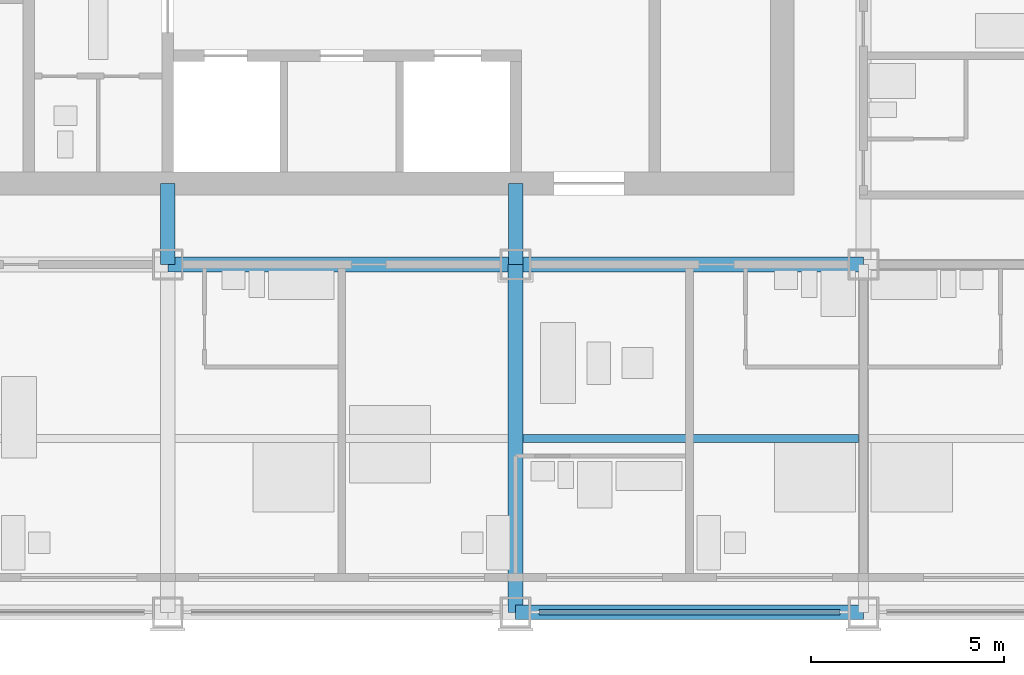
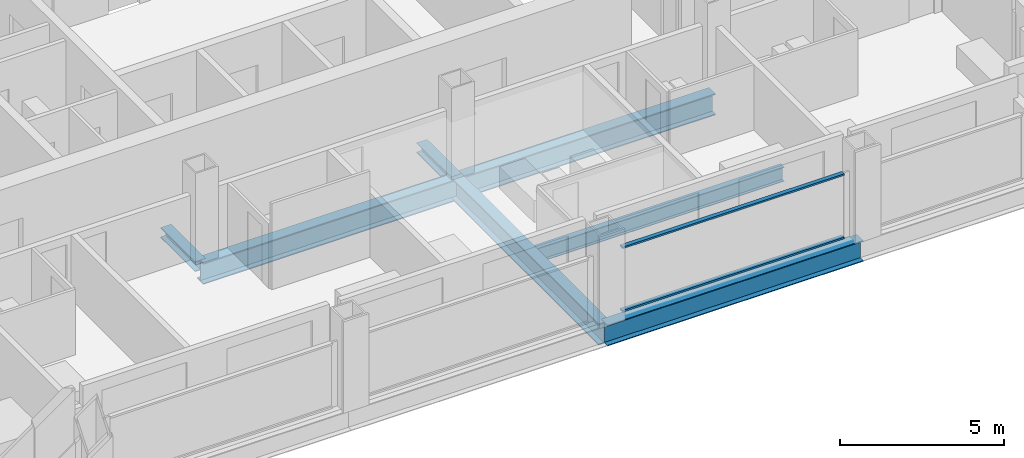
# One storey, part 3 of 13: 5 beams, 4 members, 1 element without a shape of its own.
"""IFC4 building model written with IfcOpenShell, lengths in metres."""

from ifc_helpers import new_model, si_unit, direction, frame, origin, origin_2d, place, context, subcontext, project, spatial, rectangle, i_section, extrude, material, material_profile, profile_set, type_object, element, aggregate, save


model = new_model("IFC4")

# Units and contexts
model_context = context("Model", 3, precision=1e-05, world=origin(), true_north=direction((0.0, 1.0)))
body_context = subcontext(model_context, "Body", "Model", "MODEL_VIEW")
ifc_project = project(units=[si_unit("LENGTHUNIT", "METRE"), si_unit("AREAUNIT", "SQUARE_METRE"), si_unit("VOLUMEUNIT", "CUBIC_METRE"), si_unit("PLANEANGLEUNIT", "RADIAN"), si_unit("MASSUNIT", "GRAM", prefix="KILO")], contexts=[model_context])

# Site, building, storey
site_placement = place(None, origin())
site = spatial("IfcSite", under=ifc_project, at=site_placement, CompositionType="ELEMENT")
building_placement = place(site_placement, origin())
building = spatial("IfcBuilding", under=site, at=building_placement, Name="Loomwork Tower", CompositionType="ELEMENT")
storey_placement = place(building_placement, frame((0.0, 0.0, 211.39990234375)))
storey = spatial("IfcBuildingStorey", under=building, at=storey_placement, Name="L58", CompositionType="ELEMENT", Elevation=211.39990234375)

# Beams
ifc_material_1 = material(Name="Steel ASTM A992", Category="steel")
ifc_material_profile_1 = material_profile(ifc_material_1, i_section(OverallWidth=0.383544921875, OverallDepth=0.794921875, WebThickness=0.02099609375, FlangeThickness=0.0380859375, at=origin_2d()), Name="W30x235")
ifc_profile_set_1 = profile_set([ifc_material_profile_1], Name="Steel ASTM A992")
beam_type_1 = type_object("IfcBeamType", Name="CORE FLANK GIRDER W30x235", PredefinedType="BEAM", material=ifc_profile_set_1)
for number, where, z_axis, x_axis, name in (
    (1, (18.0, 9.0, -0.597412109375), (1.0, 0.0, 0.0), (0.0, 1.0, 0.0), "Core Flank Girder E/4-E/5 L58"),
    (2, (27.0, 9.0, -0.597412109375), (1.0, 0.0, 0.0), (0.0, 1.0, 0.0), "Core Flank Girder E/5-E/6 L58"),
    (3, (27.0, 0.0, -0.597412109375), (0.0, 1.0, 0.0), (-1.0, 0.0, 0.0), "Core Flank Girder D/5-E/5 L58"),
):
    element("IfcBeam", number, at=place(storey_placement, frame(where, z_axis=z_axis, x_axis=x_axis)), inside=storey, type_object=beam_type_1, Name=name, PredefinedType="BEAM", context=body_context, shape_type="SweptSolid", body=[
        extrude(i_section(OverallWidth=0.383544921875, OverallDepth=0.794921875, WebThickness=0.02099609375, FlangeThickness=0.0380859375, at=origin_2d()), origin(), (0.0, 0.0, 1.0), 9.0),
    ])

# Members
ifc_material_2 = material(Name="Steel ASTM A992", Category="steel")
ifc_material_profile_2 = material_profile(ifc_material_2, i_section(OverallWidth=0.373291015625, OverallDepth=0.373291015625, WebThickness=0.016357421875, FlangeThickness=0.026123046875, at=origin_2d()), Name="W14x132")
ifc_profile_set_2 = profile_set([ifc_material_profile_2], Name="Steel ASTM A992")
member_type_1 = type_object("IfcMemberType", Name="CORE LINK STRUT W14x132", PredefinedType="STRUT", material=ifc_profile_set_2)
for number, where, z_axis, x_axis, name in (
    (4, (27.0, 9.0, -0.386474609375), (0.0, 1.0, 0.0), (-1.0, 0.0, 0.0), "Core link strut E/5-27.000,11.100 L58"),
    (5, (18.0, 9.0, -0.386474609375), (0.0, 1.0, 0.0), (-1.0, 0.0, 0.0), "Core link strut E/4-18.000,11.100 L58"),
):
    element("IfcMember", number, at=place(storey_placement, frame(where, z_axis=z_axis, x_axis=x_axis)), inside=storey, type_object=member_type_1, Name=name, PredefinedType="STRUT", context=body_context, shape_type="SweptSolid", body=[
        extrude(i_section(OverallWidth=0.373291015625, OverallDepth=0.373291015625, WebThickness=0.016357421875, FlangeThickness=0.026123046875, at=origin_2d()), origin(), (0.0, 0.0, 1.0), 2.10009765625),
    ])

# Beam
ifc_material_3 = material(Name="Steel ASTM A992", Category="steel")
ifc_material_profile_3 = material_profile(ifc_material_3, i_section(OverallWidth=0.2109375, OverallDepth=0.53857421875, WebThickness=0.011474609375, FlangeThickness=0.018798828125, at=origin_2d()), Name="W21x73")
ifc_profile_set_3 = profile_set([ifc_material_profile_3], Name="Steel ASTM A992")
beam_type_2 = type_object("IfcBeamType", Name="FLOOR JOIST W21x73", PredefinedType="JOIST", material=ifc_profile_set_3)
beam_1_placement = place(storey_placement, frame((27.19091796875, 4.5, -0.46923828125), z_axis=(1.0, 0.0, 0.0), x_axis=(0.0, 1.0, 0.0)))
element("IfcBeam", 6, at=beam_1_placement, inside=storey, type_object=beam_type_2, Name="Floor Joist 27.000,4.500-36.000,4.500 L58", PredefinedType="JOIST", context=body_context, shape_type="SweptSolid", body=[
    extrude(i_section(OverallWidth=0.2109375, OverallDepth=0.53857421875, WebThickness=0.011474609375, FlangeThickness=0.018798828125, at=origin_2d()), origin(), (0.0, 0.0, 1.0), 8.676025390625),
])

# Curtain wall, members
ifc_material_4 = material(Name="Aluminium curtain wall frame", Category="aluminium")
curtain_wall_type = type_object("IfcCurtainWallType", Name="Outer skin glazing hotel", PredefinedType="NOTDEFINED", material=ifc_material_4)
curtain_wall_placement = place(storey_placement, origin())
curtain_wall = element("IfcCurtainWall", 7, at=curtain_wall_placement, inside=storey, type_object=curtain_wall_type, Name="Outer skin glazing hotel cw/S-27", PredefinedType="NOTDEFINED")
ifc_material_5 = material(Name="Aluminium curtain wall frame", Category="aluminium")
ifc_material_profile_4 = material_profile(ifc_material_5, rectangle(XDim=0.14990234375, YDim=0.06494140625, at=origin_2d()), Name="AL 65x150")
ifc_profile_set_4 = profile_set([ifc_material_profile_4], Name="Aluminium curtain wall frame")
member_type_2 = type_object("IfcMemberType", Name="Outer skin glazing hotel transom", PredefinedType="USERDEFINED", material=ifc_profile_set_4)
member_1_placement = place(storey_placement, frame((27.60009765625, 0.0, 0.03271484375), z_axis=(1.0, 0.0, 0.0), x_axis=(0.0, 1.0, 0.0)))
member_1 = element("IfcMember", 8, at=member_1_placement, type_object=member_type_2, Name="CW1 transom 1.1", ObjectType="TRANSOM", PredefinedType="USERDEFINED", context=body_context, shape_type="SweptSolid", body=[
    extrude(rectangle(XDim=0.14990234375, YDim=0.06494140625, at=origin_2d()), origin(), (0.0, 0.0, 1.0), 7.7998046875),
])
member_2_placement = place(storey_placement, frame((27.60009765625, 0.0, 2.3876953125), z_axis=(1.0, 0.0, 0.0), x_axis=(0.0, 1.0, 0.0)))
member_2 = element("IfcMember", 9, at=member_2_placement, type_object=member_type_2, Name="CW1 transom 1.2", ObjectType="TRANSOM", PredefinedType="USERDEFINED", context=body_context, shape_type="SweptSolid", body=[
    extrude(rectangle(XDim=0.14990234375, YDim=0.06494140625, at=origin_2d()), origin(), (0.0, 0.0, 1.0), 7.7998046875),
])
aggregate(curtain_wall, [member_1, member_2])

# Beam
ifc_material_6 = material(Name="Steel ASTM A992", Category="steel")
ifc_material_profile_5 = material_profile(ifc_material_6, i_section(OverallWidth=0.381103515625, OverallDepth=0.77978515625, WebThickness=0.01806640625, FlangeThickness=0.0302734375, at=origin_2d()), Name="W30x191")
ifc_profile_set_5 = profile_set([ifc_material_profile_5], Name="Steel ASTM A992")
beam_type_3 = type_object("IfcBeamType", Name="SPANDREL GIRDER W30x191", PredefinedType="SPANDREL", material=ifc_profile_set_5)
beam_2_placement = place(storey_placement, frame((27.0, 0.0, -0.58984375), z_axis=(1.0, 0.0, 0.0), x_axis=(0.0, 1.0, 0.0)))
element("IfcBeam", 10, at=beam_2_placement, inside=storey, type_object=beam_type_3, Name="Spandrel Girder D/5-D/6 L58", PredefinedType="SPANDREL", context=body_context, shape_type="SweptSolid", body=[
    extrude(i_section(OverallWidth=0.381103515625, OverallDepth=0.77978515625, WebThickness=0.01806640625, FlangeThickness=0.0302734375, at=origin_2d()), origin(), (0.0, 0.0, 1.0), 9.0),
])

save(model, "model.ifc")
